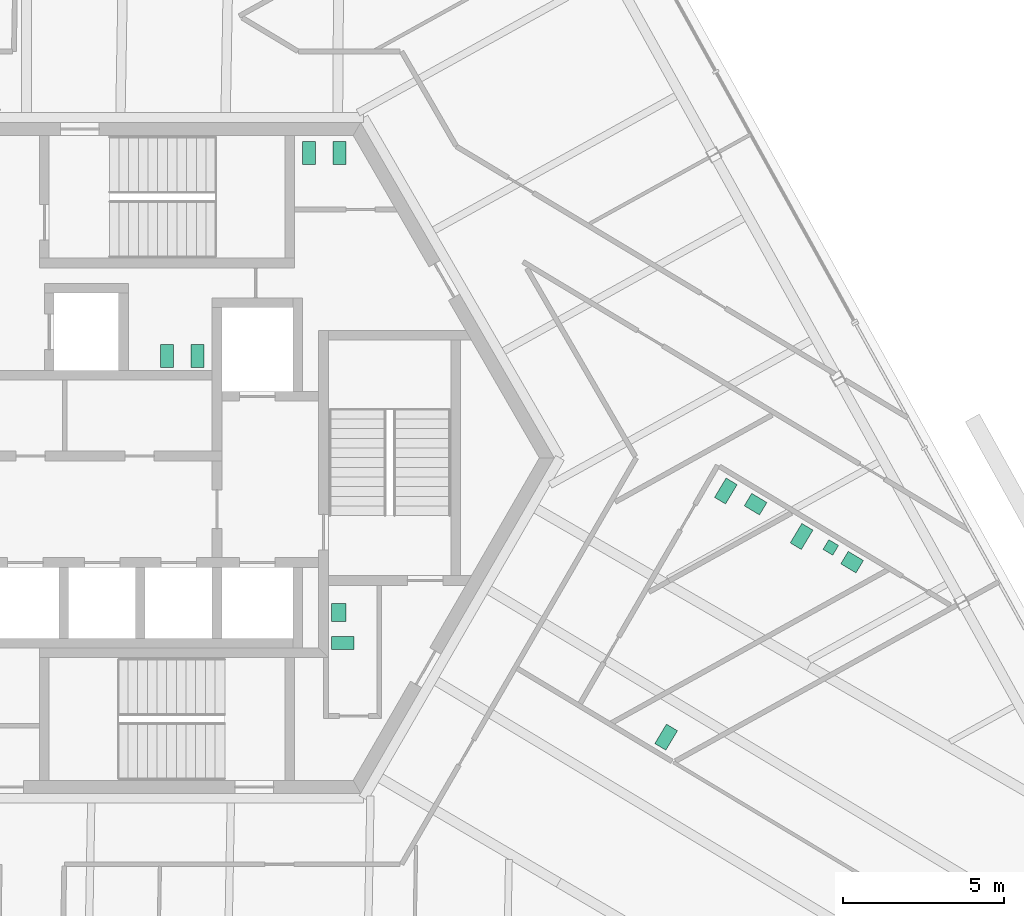
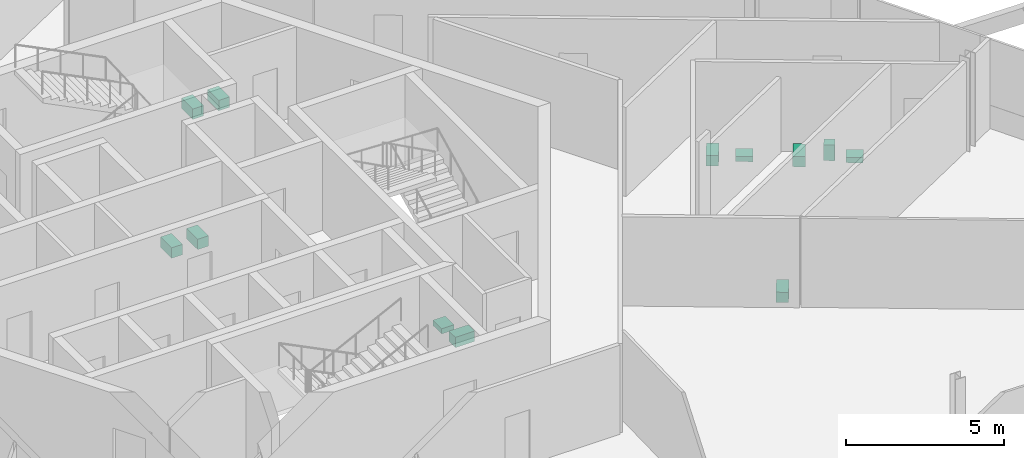
# One storey, part 17 of 19: 12 sanitary terminals.
"""IFC4 building model written with IfcOpenShell, lengths in metres."""

from ifc_helpers import new_model, si_unit, direction, frame, origin, origin_2d, place, context, subcontext, project, spatial, rectangle, extrude, source, transform, mapped, material, element, save


model = new_model("IFC4")

# Units and contexts
model_context = context("Model", 3, precision=1e-05, world=origin(), true_north=direction((0.0, 1.0)))
body_context = subcontext(model_context, "Body", "Model", "MODEL_VIEW")
ifc_project = project(units=[si_unit("LENGTHUNIT", "METRE"), si_unit("AREAUNIT", "SQUARE_METRE"), si_unit("VOLUMEUNIT", "CUBIC_METRE"), si_unit("PLANEANGLEUNIT", "RADIAN"), si_unit("MASSUNIT", "GRAM", prefix="KILO")], contexts=[model_context])

# Site, building, storey
site_placement = place(None, origin())
site = spatial("IfcSite", under=ifc_project, at=site_placement, CompositionType="ELEMENT")
building_placement = place(site_placement, origin())
building = spatial("IfcBuilding", under=site, at=building_placement, Name="Triune Harvest Tower", CompositionType="ELEMENT")
storey_placement = place(building_placement, frame((0.0, 0.0, 205.10009765625)))
storey = spatial("IfcBuildingStorey", under=building, at=storey_placement, Name="L53", CompositionType="ELEMENT", Elevation=205.10009765625)

# Sanitary terminals
ifc_material = material(Name="Vitreous china")
shared_shape_1 = source(origin(), body_context, "Body", "SweptSolid", [
    extrude(rectangle(XDim=0.39990234375, YDim=0.699951171875, at=origin_2d()), origin(), (0.0, 0.0, 1.0), 0.39990234375),
])
for number, where, z_axis, x_axis, name in (
    (1, (4.39990234375, 9.449951171875, 0.0), (0.0, 0.0, 1.0), (1.0, 0.0, 0.0), "Toilet pan L53.c01"),
    (2, (5.35009765625, 9.449951171875, 0.0), (0.0, 0.0, 1.0), (1.0, 0.0, 0.0), "Toilet pan L53.c02"),
    (3, (0.949951171875, 3.159912109375, 0.0), (0.0, 0.0, 1.0), (-1.0, 0.0, 0.0), "Toilet pan L53.c03"),
    (4, (0.0, 3.159912109375, 0.0), (0.0, 0.0, 1.0), (-1.0, 0.0, 0.0), "Toilet pan L53.c04"),
    (5, (5.449951171875, -5.739990234375, 0.0), (0.0, 0.0, 1.0), (0.0, 1.0, 0.0), "Toilet pan L53.c05"),
    (6, (15.467041015625, -8.65185546875, 0.0), (0.0, 0.0, 1.0), (-0.857167300702, 0.51503807491, 0.0), "Toilet pan 01"),
    (7, (19.6640625, -2.4345703125, 0.0), (0.0, 0.0, 1.0), (0.857158311461, -0.515053035223, 0.0), "Toilet pan 02"),
    (8, (17.31689453125, -1.024169921875, 0.0), (0.0, 0.0, 1.0), (0.857167300702, -0.51503807491, 0.0), "Toilet pan 05"),
):
    element("IfcSanitaryTerminal", number, at=place(storey_placement, frame(where, z_axis=z_axis, x_axis=x_axis)), inside=storey, material=ifc_material, Name=name, PredefinedType="TOILETPAN", context=body_context, shape_type="MappedRepresentation", body=[
        mapped(shared_shape_1, transform((0.0, 0.0, 0.0), scale=1.0)),
    ])
shared_shape_2 = source(origin(), body_context, "Body", "SweptSolid", [
    extrude(rectangle(XDim=0.35009765625, YDim=0.35009765625, at=origin_2d()), origin(), (0.0, 0.0, 1.0), 0.60009765625),
])
sanitary_terminal_placement = place(storey_placement, frame((20.568359375, -2.773681640625, -0.000244140625), z_axis=(0.0, 0.0, 1.0), x_axis=(0.857158311461, -0.515053035223, 0.0)))
element("IfcSanitaryTerminal", 9, at=sanitary_terminal_placement, inside=storey, material=ifc_material, Name="Urinal 03", PredefinedType="URINAL", context=body_context, shape_type="MappedRepresentation", body=[
    mapped(shared_shape_2, transform((0.0, 0.0, 0.0), scale=1.0)),
])
shared_shape_3 = source(origin(), body_context, "Body", "SweptSolid", [
    extrude(rectangle(XDim=0.550048828125, YDim=0.449951171875, at=origin_2d()), origin(), (0.0, 0.0, 1.0), 0.199951171875),
])
for number, where, z_axis, x_axis, name in (
    (10, (5.324951171875, -4.7900390625, 0.0), (0.0, 0.0, 1.0), (0.0, 1.0, 0.0), "Wash basin L53.c06"),
    (11, (21.228515625, -3.228759765625, 0.0), (0.0, 0.0, 1.0), (0.857158311461, -0.515053035223, 0.0), "Wash basin 04"),
    (12, (18.23828125, -1.43212890625, 0.0), (0.0, 0.0, 1.0), (0.857167300702, -0.51503807491, 0.0), "Wash basin 06"),
):
    element("IfcSanitaryTerminal", number, at=place(storey_placement, frame(where, z_axis=z_axis, x_axis=x_axis)), inside=storey, material=ifc_material, Name=name, PredefinedType="WASHHANDBASIN", context=body_context, shape_type="MappedRepresentation", body=[
        mapped(shared_shape_3, transform((0.0, 0.0, 0.0), scale=1.0)),
    ])

save(model, "model.ifc")
